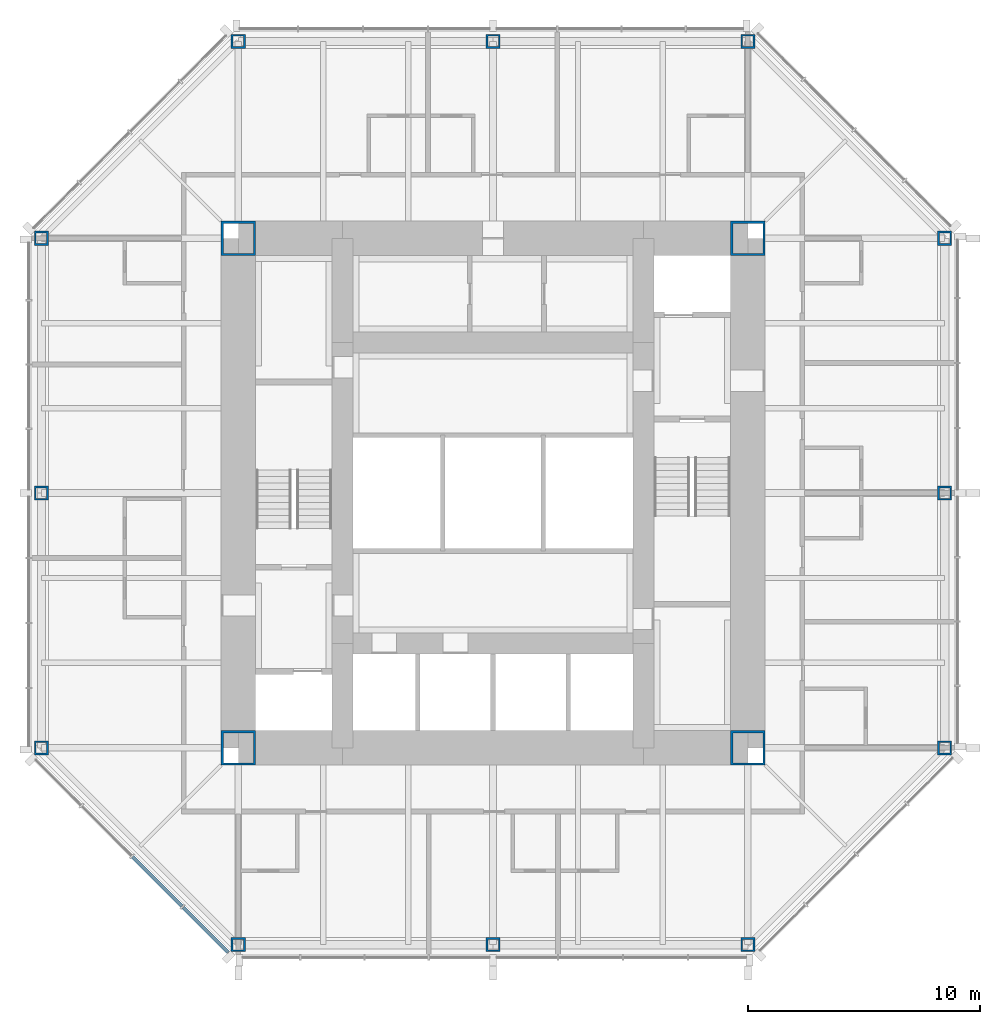
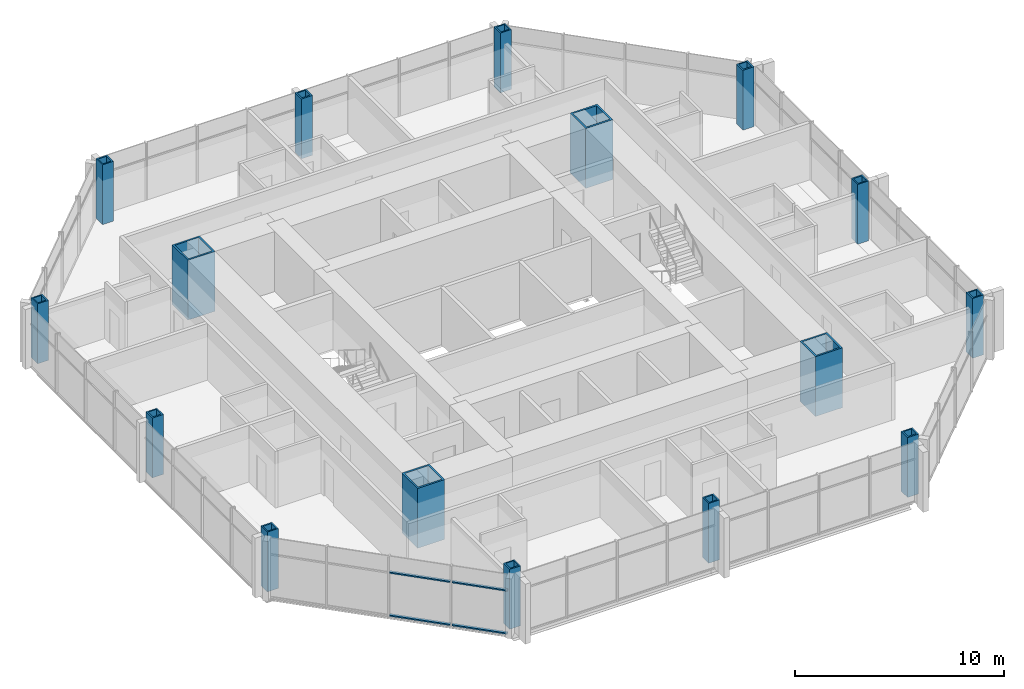
# One storey, part 1 of 11: 16 columns, 4 members, 1 element without a shape of its own.
"""IFC4 building model written with IfcOpenShell, lengths in metres."""

from ifc_helpers import new_model, si_unit, direction, frame, origin, origin_2d, place, context, subcontext, project, spatial, rectangle, hollow_rectangle, extrude, material, material_profile, profile_set, type_object, element, aggregate, save


model = new_model("IFC4")

# Units and contexts
model_context = context("Model", 3, precision=1e-05, world=origin(), true_north=direction((0.0, 1.0)))
body_context = subcontext(model_context, "Body", "Model", "MODEL_VIEW")
ifc_project = project(units=[si_unit("LENGTHUNIT", "METRE"), si_unit("AREAUNIT", "SQUARE_METRE"), si_unit("VOLUMEUNIT", "CUBIC_METRE"), si_unit("PLANEANGLEUNIT", "RADIAN"), si_unit("MASSUNIT", "GRAM", prefix="KILO")], contexts=[model_context])

# Site, building, storey
site_placement = place(None, origin())
site = spatial("IfcSite", under=ifc_project, at=site_placement, CompositionType="ELEMENT")
building_placement = place(site_placement, origin())
building = spatial("IfcBuilding", under=site, at=building_placement, Name="Trevanion Tower", CompositionType="ELEMENT")
storey_placement = place(building_placement, frame((0.0, 0.0, 211.699951171875)))
storey = spatial("IfcBuildingStorey", under=building, at=storey_placement, Name="L50", CompositionType="ELEMENT", Elevation=211.699951171875)

# Columns
ifc_material_1 = material(Name="Steel ASTM A572 Grade 50", Category="steel")
ifc_material_profile_1 = material_profile(ifc_material_1, hollow_rectangle(XDim=0.609619140625, YDim=0.609619140625, WallThickness=0.076171875, at=origin_2d()), Name="BOX24X24X3")
ifc_profile_set_1 = profile_set([ifc_material_profile_1], Name="Steel ASTM A572 Grade 50")
column_type_1 = type_object("IfcColumnType", Name="C5 BOX24X24X3", PredefinedType="COLUMN", material=ifc_profile_set_1)
for number, where, z_axis, x_axis, name in (
    (1, (-19.5, 0.0, 0.0), (0.0, 0.0, 1.0), (0.0, 1.0, 0.0), "C5 5/H L50"),
    (2, (-19.5, -11.0, 0.0), (0.0, 0.0, 1.0), (0.0, 1.0, 0.0), "C5 5/F L50"),
    (3, (-11.0, -19.5, 0.0), (0.0, 0.0, 1.0), (1.0, 0.0, 0.0), "C5 8/C L50"),
    (4, (0.0, -19.5, 0.0), (0.0, 0.0, 1.0), (1.0, 0.0, 0.0), "C5 10/C L50"),
    (5, (11.0, -19.5, 0.0), (0.0, 0.0, 1.0), (1.0, 0.0, 0.0), "C5 12/C L50"),
    (6, (19.5, -11.0, 0.0), (0.0, 0.0, 1.0), (0.0, 1.0, 0.0), "C5 15/F L50"),
    (7, (19.5, 0.0, 0.0), (0.0, 0.0, 1.0), (0.0, 1.0, 0.0), "C5 15/H L50"),
    (8, (19.5, 11.0, 0.0), (0.0, 0.0, 1.0), (0.0, 1.0, 0.0), "C5 15/K L50"),
    (9, (11.0, 19.5, 0.0), (0.0, 0.0, 1.0), (1.0, 0.0, 0.0), "C5 12/N L50"),
    (10, (0.0, 19.5, 0.0), (0.0, 0.0, 1.0), (1.0, 0.0, 0.0), "C5 10/N L50"),
    (11, (-11.0, 19.5, 0.0), (0.0, 0.0, 1.0), (1.0, 0.0, 0.0), "C5 8/N L50"),
    (12, (-19.5, 11.0, 0.0), (0.0, 0.0, 1.0), (0.0, 1.0, 0.0), "C5 5/K L50"),
):
    element("IfcColumn", number, at=place(storey_placement, frame(where, z_axis=z_axis, x_axis=x_axis)), inside=storey, type_object=column_type_1, Name=name, PredefinedType="COLUMN", context=body_context, shape_type="SweptSolid", body=[
        extrude(hollow_rectangle(XDim=0.609619140625, YDim=0.609619140625, WallThickness=0.076171875, at=origin_2d()), origin(), (0.0, 0.0, 1.0), 3.5),
    ])
ifc_material_2 = material(Name="Steel ASTM A572 Grade 50", Category="steel")
ifc_material_profile_2 = material_profile(ifc_material_2, hollow_rectangle(XDim=1.49853515625, YDim=1.49853515625, WallThickness=0.1015625, at=origin_2d()), Name="BOX59X59X4")
ifc_profile_set_2 = profile_set([ifc_material_profile_2], Name="Steel ASTM A572 Grade 50")
column_type_2 = type_object("IfcColumnType", Name="CB1 BOX59X59X4", PredefinedType="COLUMN", material=ifc_profile_set_2)
for number, where, z_axis, x_axis, name in (
    (13, (11.0, 11.0, 0.0), (0.0, 0.0, 1.0), (1.0, 0.0, 0.0), "CB1 NE L50"),
    (14, (-11.0, 11.0, 0.0), (0.0, 0.0, 1.0), (1.0, 0.0, 0.0), "CB1 NW L50"),
    (15, (-11.0, -11.0, 0.0), (0.0, 0.0, 1.0), (1.0, 0.0, 0.0), "CB1 SW L50"),
    (16, (11.0, -11.0, 0.0), (0.0, 0.0, 1.0), (1.0, 0.0, 0.0), "CB1 SE L50"),
):
    element("IfcColumn", number, at=place(storey_placement, frame(where, z_axis=z_axis, x_axis=x_axis)), inside=storey, type_object=column_type_2, Name=name, PredefinedType="COLUMN", context=body_context, shape_type="SweptSolid", body=[
        extrude(hollow_rectangle(XDim=1.49853515625, YDim=1.49853515625, WallThickness=0.1015625, at=origin_2d()), origin(), (0.0, 0.0, 1.0), 3.5),
    ])

# Curtain wall, members
ifc_material_3 = material(Name="Aluminium and glass", Category="aluminium")
curtain_wall_type = type_object("IfcCurtainWallType", Name="CW3 curtain wall", PredefinedType="USERDEFINED", material=ifc_material_3)
curtain_wall_placement = place(storey_placement, origin())
curtain_wall = element("IfcCurtainWall", 17, at=curtain_wall_placement, inside=storey, type_object=curtain_wall_type, Name="CW3 L50 5", ObjectType="UNITISED CURTAIN WALL", PredefinedType="USERDEFINED")
ifc_material_4 = material(Name="Aluminium extrusion, anodised bronze", Category="aluminium")
ifc_material_profile_3 = material_profile(ifc_material_4, rectangle(XDim=0.14990234375, YDim=0.074951171875, at=origin_2d()), Name="CW3 transom")
ifc_profile_set_3 = profile_set([ifc_material_profile_3], Name="Aluminium extrusion, anodised bronze")
member_type = type_object("IfcMemberType", Name="CW3 transom", PredefinedType="USERDEFINED", material=ifc_profile_set_3)
member_1_placement = place(storey_placement, frame((-15.56640625, -15.71142578125, -0.15234375), z_axis=(0.707106781187, -0.707106781187, 0.0), x_axis=(0.707106781187, 0.707106781187, 0.0)))
member_1 = element("IfcMember", 18, at=member_1_placement, type_object=member_type, Name="CW3 transom 3.1", ObjectType="TRANSOM", PredefinedType="USERDEFINED", context=body_context, shape_type="SweptSolid", body=[
    extrude(rectangle(XDim=0.14990234375, YDim=0.074951171875, at=origin_2d()), origin(), (0.0, 0.0, 1.0), 3.011474609375),
])
member_2_placement = place(storey_placement, frame((-15.56640625, -15.71142578125, 2.360107421875), z_axis=(0.707106781187, -0.707106781187, 0.0), x_axis=(0.707106781187, 0.707106781187, 0.0)))
member_2 = element("IfcMember", 19, at=member_2_placement, type_object=member_type, Name="CW3 transom 3.2", ObjectType="TRANSOM", PredefinedType="USERDEFINED", context=body_context, shape_type="SweptSolid", body=[
    extrude(rectangle(XDim=0.14990234375, YDim=0.074951171875, at=origin_2d()), origin(), (0.0, 0.0, 1.0), 3.011474609375),
])
member_3_placement = place(storey_placement, frame((-13.3837890625, -17.89404296875, -0.15234375), z_axis=(0.707106781187, -0.707106781187, 0.0), x_axis=(0.707106781187, 0.707106781187, 0.0)))
member_3 = element("IfcMember", 20, at=member_3_placement, type_object=member_type, Name="CW3 transom 4.1", ObjectType="TRANSOM", PredefinedType="USERDEFINED", context=body_context, shape_type="SweptSolid", body=[
    extrude(rectangle(XDim=0.14990234375, YDim=0.074951171875, at=origin_2d()), origin(), (0.0, 0.0, 1.0), 2.7490234375),
])
member_4_placement = place(storey_placement, frame((-13.3837890625, -17.89404296875, 2.360107421875), z_axis=(0.707106781187, -0.707106781187, 0.0), x_axis=(0.707106781187, 0.707106781187, 0.0)))
member_4 = element("IfcMember", 21, at=member_4_placement, type_object=member_type, Name="CW3 transom 4.2", ObjectType="TRANSOM", PredefinedType="USERDEFINED", context=body_context, shape_type="SweptSolid", body=[
    extrude(rectangle(XDim=0.14990234375, YDim=0.074951171875, at=origin_2d()), origin(), (0.0, 0.0, 1.0), 2.7490234375),
])
aggregate(curtain_wall, [member_1, member_2, member_3, member_4])

save(model, "model.ifc")
